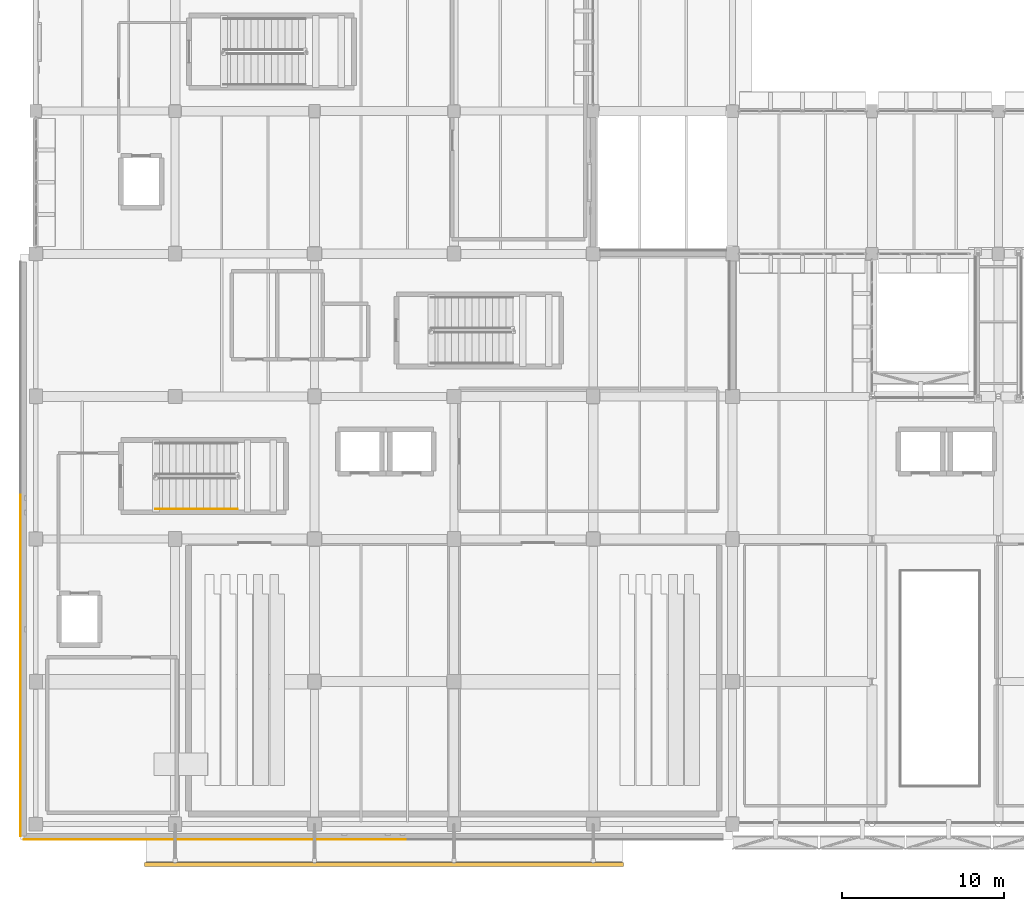
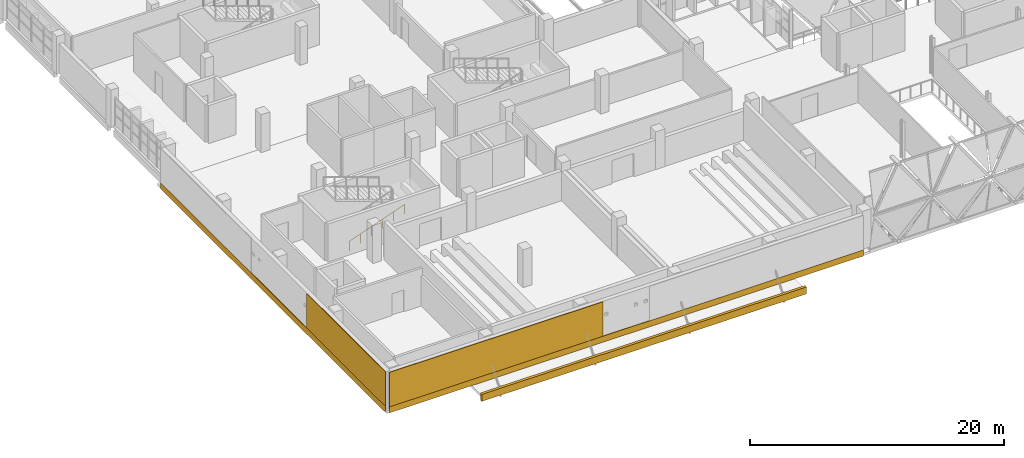
# One storey, part 69 of 80: 5 coverings, 1 railing.
"""IFC4 building model written with IfcOpenShell, lengths in metres."""

from ifc_helpers import new_model, si_unit, direction, frame, origin, origin_2d, place, context, subcontext, project, spatial, polyline, rectangle, circle, outline, extrude, material, layer, layer_set, type_object, element, save


model = new_model("IFC4")

# Units and contexts
model_context = context("Model", 3, precision=1e-05, world=origin(), true_north=direction((0.0, 1.0)))
body_context = subcontext(model_context, "Body", "Model", "MODEL_VIEW")
ifc_project = project(units=[si_unit("LENGTHUNIT", "METRE"), si_unit("AREAUNIT", "SQUARE_METRE"), si_unit("VOLUMEUNIT", "CUBIC_METRE"), si_unit("PLANEANGLEUNIT", "RADIAN"), si_unit("MASSUNIT", "GRAM", prefix="KILO")], contexts=[model_context])

# Site, building, storey
site_placement = place(None, origin())
site = spatial("IfcSite", under=ifc_project, at=site_placement, CompositionType="ELEMENT")
building_placement = place(site_placement, origin())
building = spatial("IfcBuilding", under=site, at=building_placement, Name="Varnakota Cinema and Media Centre", CompositionType="ELEMENT")
storey_placement = place(building_placement, frame((0.0, 0.0, 4.5)))
storey = spatial("IfcBuildingStorey", under=building, at=storey_placement, Name="L01", CompositionType="ELEMENT", Elevation=4.5)

# Coverings
ifc_material_1 = material(Name="Pale Tandur limestone cladding", Category="masonry")
ifc_layer_1 = layer(ifc_material_1, 0.1201171875)
ifc_layer_set_1 = layer_set([ifc_layer_1], Name="Pale Tandur limestone cladding")
covering_type_1 = type_object("IfcCoveringType", Name="COV-CORNICE-120", PredefinedType="ROOFING", material=ifc_layer_set_1)
covering_1_placement = place(storey_placement, frame((0.0, 0.0, -0.75)))
element("IfcCovering", 1, at=covering_1_placement, inside=storey, type_object=covering_type_1, Name="V4 pale Tandur stone marquee fascia", PredefinedType="ROOFING", context=body_context, shape_type="SweptSolid", body=[
    extrude(outline(polyline([(6.719970703125, -2.6201171875), (36.280029296875, -2.6201171875), (36.280029296875, -2.3798828125), (6.719970703125, -2.3798828125), (6.719970703125, -2.6201171875)])), origin(), (0.0, 0.0, 1.0), 0.669921875),
])
ifc_material_2 = material(Name="Pale Tandur limestone cladding", Category="masonry")
ifc_layer_2 = layer(ifc_material_2, 0.06005859375)
ifc_layer_set_2 = layer_set([ifc_layer_2], Name="Pale Tandur limestone cladding")
covering_type_2 = type_object("IfcCoveringType", Name="COV-TANDUR-ASHLAR-60", PredefinedType="CLADDING", material=ifc_layer_set_2)
covering_2_placement = place(storey_placement, frame((20.830078125, -0.945068359375, -0.25), z_axis=(0.0, 0.0, 1.0), x_axis=(-1.0, 0.0, 0.0)))
element("IfcCovering", 2, at=covering_2_placement, inside=storey, type_object=covering_type_2, Name="L01 V4 pale Tandur stone spandrel ashlar V4-S", PredefinedType="CLADDING", context=body_context, shape_type="SweptSolid", body=[
    extrude(rectangle(XDim=43.139892578125, YDim=0.06005859375, at=origin_2d()), origin(), (0.0, 0.0, 1.0), 0.580078125),
])
covering_3_placement = place(storey_placement, frame((8.985107421875, -0.945068359375, 0.330078125), z_axis=(0.0, 0.0, 1.0), x_axis=(-1.0, 0.0, 0.0)))
element("IfcCovering", 3, at=covering_3_placement, inside=storey, type_object=covering_type_2, Name="L01 V4 pale Tandur stone right corner ashlar V4-S", PredefinedType="CLADDING", context=body_context, shape_type="SweptSolid", body=[
    extrude(rectangle(XDim=19.449951171875, YDim=0.06005859375, at=origin_2d()), origin(), (0.0, 0.0, 1.0), 3.320068359375),
])
covering_4_placement = place(storey_placement, frame((-0.945068359375, 16.97998046875, -0.25), z_axis=(0.0, 0.0, 1.0), x_axis=(0.0, 1.0, 0.0)))
element("IfcCovering", 4, at=covering_4_placement, inside=storey, type_object=covering_type_2, Name="L01 V4 pale Tandur stone spandrel ashlar V4-W", PredefinedType="CLADDING", context=body_context, shape_type="SweptSolid", body=[
    extrude(rectangle(XDim=35.43994140625, YDim=0.06005859375, at=origin_2d()), origin(), (0.0, 0.0, 1.0), 0.580078125),
])
covering_5_placement = place(storey_placement, frame((-0.945068359375, 5.485107421875, 0.330078125), z_axis=(0.0, 0.0, 1.0), x_axis=(0.0, 1.0, 0.0)))
element("IfcCovering", 5, at=covering_5_placement, inside=storey, type_object=covering_type_2, Name="L01 V4 pale Tandur stone left corner ashlar V4-W", PredefinedType="CLADDING", context=body_context, shape_type="SweptSolid", body=[
    extrude(rectangle(XDim=12.449951171875, YDim=0.06005859375, at=origin_2d()), origin(), (0.0, 0.0, 1.0), 3.320068359375),
])

# Railing
ifc_material_3 = material(Name="Structural steel Grade 350 (E350)", Category="steel")
ifc_layer_3 = layer(ifc_material_3, 0.048095703125)
ifc_layer_set_3 = layer_set([ifc_layer_3], Name="Structural steel Grade 350 (E350)")
railing_type = type_object("IfcRailingType", Name="RAIL-STAIR-HAND-900", PredefinedType="HANDRAIL", material=ifc_layer_set_3)
railing_placement = place(storey_placement, frame((7.39990234375, 19.449951171875, 0.14990234375)))
element("IfcRailing", 6, at=railing_placement, inside=storey, type_object=railing_type, Name="L01 ST-01 stair handrail 1", PredefinedType="HANDRAIL", context=body_context, shape_type="SweptSolid", body=[
    extrude(circle(Radius=0.02392578125, at=origin_2d()), frame((0.0, 0.0, 0.8759765625), z_axis=(0.94173984741, 0.0, 0.336342176659), x_axis=(0.0, 1.0, 0.0)), (0.0, 0.0, 1.0), 5.351806640625),
    extrude(circle(Radius=0.02099609375, at=origin_2d()), origin(), (0.0, 0.0, 1.0), 0.851806640625),
    extrude(circle(Radius=0.02099609375, at=origin_2d()), frame((1.008056640625, 0.0, 0.360107421875)), (0.0, 0.0, 1.0), 0.851806640625),
    extrude(circle(Radius=0.02099609375, at=origin_2d()), frame((2.01611328125, 0.0, 0.719970703125)), (0.0, 0.0, 1.0), 0.851806640625),
    extrude(circle(Radius=0.02099609375, at=origin_2d()), frame((3.02392578125, 0.0, 1.080078125)), (0.0, 0.0, 1.0), 0.851806640625),
    extrude(circle(Radius=0.02099609375, at=origin_2d()), frame((4.031982421875, 0.0, 1.43994140625)), (0.0, 0.0, 1.0), 0.851806640625),
    extrude(circle(Radius=0.02099609375, at=origin_2d()), frame((5.0400390625, 0.0, 1.800048828125)), (0.0, 0.0, 1.0), 0.851806640625),
])

save(model, "model.ifc")
